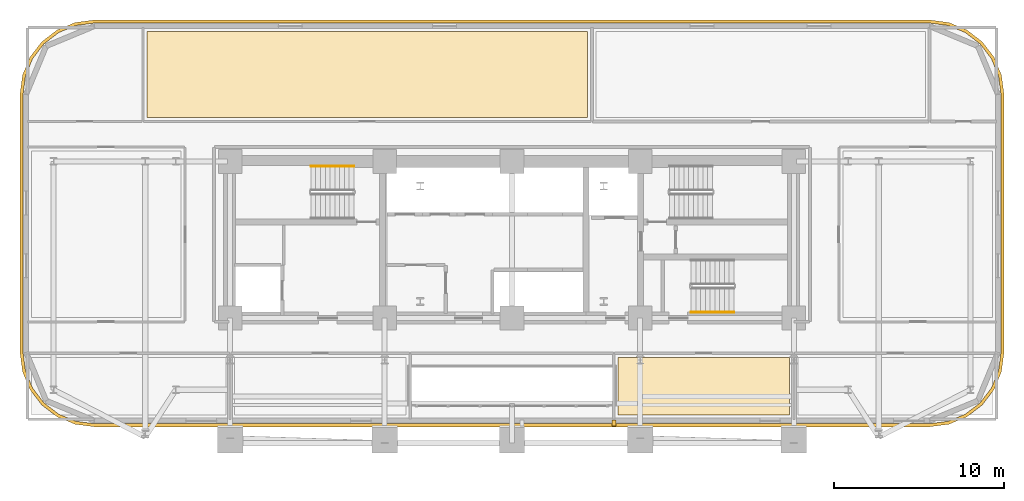
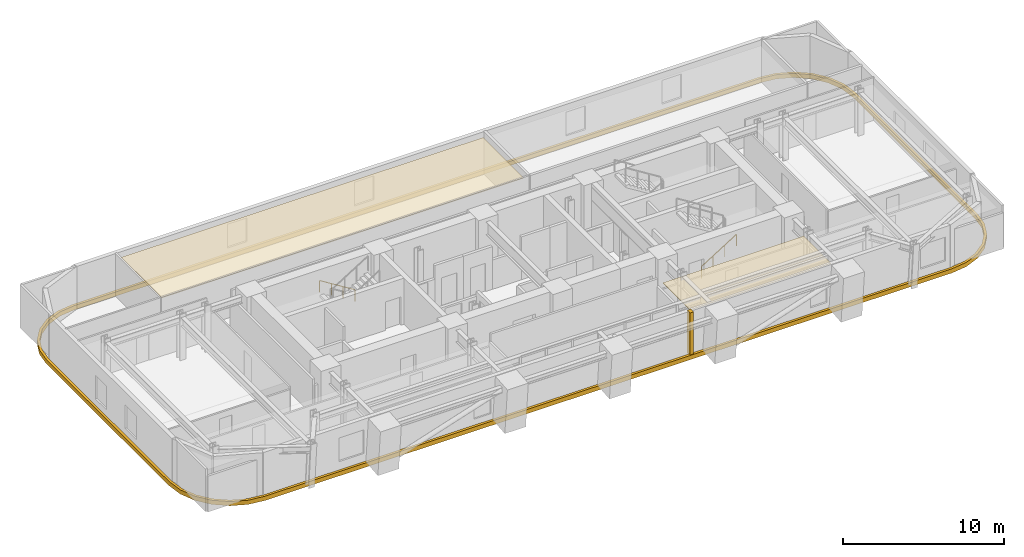
# One storey, part 13 of 14: 4 coverings, 2 railings.
"""IFC4 building model written with IfcOpenShell, lengths in metres."""

from ifc_helpers import new_model, si_unit, direction, frame, origin, origin_2d, place, context, subcontext, project, spatial, polyline, rectangle, outline, extrude, material, layer, layer_set, type_object, element, save


model = new_model("IFC4")

# Units and contexts
model_context = context("Model", 3, precision=1e-05, world=origin(), true_north=direction((0.0, 1.0)))
body_context = subcontext(model_context, "Body", "Model", "MODEL_VIEW")
ifc_project = project(units=[si_unit("LENGTHUNIT", "METRE"), si_unit("AREAUNIT", "SQUARE_METRE"), si_unit("VOLUMEUNIT", "CUBIC_METRE"), si_unit("PLANEANGLEUNIT", "RADIAN"), si_unit("MASSUNIT", "GRAM", prefix="KILO")], contexts=[model_context])

# Site, building, storey
site_placement = place(None, origin())
site = spatial("IfcSite", under=ifc_project, at=site_placement, CompositionType="ELEMENT")
building_placement = place(site_placement, origin())
building = spatial("IfcBuilding", under=site, at=building_placement, Name="Zarnavel Station Tower", CompositionType="ELEMENT")
storey_placement = place(building_placement, frame((0.0, 0.0, 60.5)))
storey = spatial("IfcBuildingStorey", under=building, at=storey_placement, Name="L16", CompositionType="ELEMENT", Elevation=60.5)

# Coverings
ifc_material_1 = material(Name="Perforated Gypsum and Mineral-Wool Acoustic Ceiling", Category="concrete")
ifc_layer = layer(ifc_material_1, 0.0400390625)
ifc_layer_set = layer_set([ifc_layer], Name="COV_CEIL_ACOUSTIC")
covering_type_1 = type_object("IfcCoveringType", Name="COV_CEIL_ACOUSTIC", PredefinedType="CEILING", material=ifc_layer_set)
covering_1_placement = place(storey_placement, frame((0.0, 0.0, 2.919921875)))
element("IfcCovering", 1, at=covering_1_placement, inside=storey, type_object=covering_type_1, Name="L16 NL4A Acoustic Ceiling", PredefinedType="CEILING", context=body_context, shape_type="SweptSolid", body=[
    extrude(outline(polyline([(7.31005859375, 39.64990234375), (33.25, 39.64990234375), (33.25, 44.68994140625), (7.31005859375, 44.68994140625), (7.31005859375, 39.64990234375)])), origin(), (0.0, 0.0, 1.0), 0.0400390625),
])
covering_2_placement = place(storey_placement, frame((0.0, 0.0, 2.919921875)))
element("IfcCovering", 2, at=covering_2_placement, inside=storey, type_object=covering_type_1, Name="L16 Z1GYM Acoustic Ceiling", PredefinedType="CEILING", context=body_context, shape_type="SweptSolid", body=[
    extrude(outline(polyline([(35.050048828125, 22.110107421875), (45.14990234375, 22.110107421875), (45.14990234375, 25.5), (35.050048828125, 25.5), (35.050048828125, 22.110107421875)])), origin(), (0.0, 0.0, 1.0), 0.0400390625),
])
ifc_material_2 = material(Name="Precast concrete C45/55 (Pale Travertine Slab Band)", Category="masonry")
covering_type_2 = type_object("IfcCoveringType", Name="COV_TRAVERTINE_BAND", PredefinedType="CLADDING", material=ifc_material_2)
covering_3_placement = place(storey_placement, frame((0.0, 0.0, -0.260009765625)))
element("IfcCovering", 3, at=covering_3_placement, inside=storey, type_object=covering_type_2, Name="L16 Pale Travertine Slab-Edge Band", PredefinedType="CLADDING", context=body_context, shape_type="SweptSolid", body=[
    extrude(outline(polyline([(53.39990234375, 21.419921875), (54.53369140625, 21.569091796875), (55.590087890625, 22.0068359375), (56.4970703125, 22.702880859375), (57.193115234375, 23.610107421875), (57.630859375, 24.66650390625), (57.780029296875, 25.800048828125), (57.780029296875, 41.0), (57.630859375, 42.133544921875), (57.193115234375, 43.18994140625), (56.4970703125, 44.09716796875), (55.590087890625, 44.793212890625), (54.53369140625, 45.230712890625), (53.39990234375, 45.3798828125), (4.199951171875, 45.3798828125), (3.06640625, 45.230712890625), (2.010009765625, 44.793212890625), (1.102783203125, 44.09716796875), (0.40673828125, 43.18994140625), (-0.03076171875, 42.133544921875), (-0.179931640625, 41.0), (-0.179931640625, 25.800048828125), (-0.03076171875, 24.66650390625), (0.40673828125, 23.610107421875), (1.102783203125, 22.702880859375), (2.010009765625, 22.0068359375), (3.06640625, 21.569091796875), (4.199951171875, 21.419921875), (53.39990234375, 21.419921875)]), holes=[polyline([(53.39990234375, 21.60009765625), (54.487060546875, 21.7431640625), (55.5, 22.16259765625), (56.369873046875, 22.830078125), (57.037353515625, 23.699951171875), (57.456787109375, 24.712890625), (57.60009765625, 25.800048828125), (57.60009765625, 41.0), (57.456787109375, 42.0869140625), (57.037353515625, 43.10009765625), (56.369873046875, 43.9697265625), (55.5, 44.63720703125), (54.487060546875, 45.056884765625), (53.39990234375, 45.199951171875), (4.199951171875, 45.199951171875), (3.113037109375, 45.056884765625), (2.10009765625, 44.63720703125), (1.230224609375, 43.9697265625), (0.562744140625, 43.10009765625), (0.14306640625, 42.0869140625), (0.0, 41.0), (0.0, 25.800048828125), (0.14306640625, 24.712890625), (0.562744140625, 23.699951171875), (1.230224609375, 22.830078125), (2.10009765625, 22.16259765625), (3.113037109375, 21.7431640625), (4.199951171875, 21.60009765625), (53.39990234375, 21.60009765625)])]), origin(), (0.0, 0.0, 1.0), 0.320068359375),
])
covering_4_placement = place(storey_placement, frame((34.800048828125, 21.64990234375, 0.0), z_axis=(0.0, 0.0, 1.0), x_axis=(1.0, 0.0, 0.0)))
element("IfcCovering", 4, at=covering_4_placement, inside=storey, type_object=covering_type_2, Name="L16 Travertine Portal Loggia Vertical Jog East", PredefinedType="CLADDING", context=body_context, shape_type="SweptSolid", body=[
    extrude(rectangle(XDim=0.239990234375, YDim=0.360107421875, at=origin_2d()), origin(), (0.0, 0.0, 1.0), 3.239990234375),
])

# Railings
ifc_material_3 = material(Name="Brushed Stainless Steel S355J2 Handrail", Category="steel")
railing_type = type_object("IfcRailingType", Name="HR_STAIR_900", PredefinedType="HANDRAIL", material=ifc_material_3)
railing_1_placement = place(storey_placement, frame((19.47998046875, 36.77001953125, 0.175048828125)))
element("IfcRailing", 5, at=railing_1_placement, inside=storey, type_object=railing_type, Name="L16 ST1 stair handrail 1", PredefinedType="HANDRAIL", context=body_context, shape_type="SweptSolid", body=[
    extrude(rectangle(XDim=0.048095703125, YDim=0.048095703125, at=origin_2d()), frame((-0.001708984375, 0.0, 0.876953125), z_axis=(-0.848007534815, 0.0, 0.529984170421), x_axis=(0.0, -1.0, 0.0)), (0.0, 0.0, 1.0), 2.9677734375),
    extrude(rectangle(XDim=0.0419921875, YDim=0.0419921875, at=origin_2d()), origin(), (0.0, 0.0, 1.0), 0.851806640625),
    extrude(rectangle(XDim=0.0419921875, YDim=0.0419921875, at=origin_2d()), frame((-0.840087890625, 0.0, 0.52490234375)), (0.0, 0.0, 1.0), 0.851806640625),
    extrude(rectangle(XDim=0.0419921875, YDim=0.0419921875, at=origin_2d()), frame((-1.679931640625, 0.0, 1.050048828125)), (0.0, 0.0, 1.0), 0.851806640625),
    extrude(rectangle(XDim=0.0419921875, YDim=0.0419921875, at=origin_2d()), frame((-2.52001953125, 0.0, 1.574951171875)), (0.0, 0.0, 1.0), 0.851806640625),
])
railing_2_placement = place(storey_placement, frame((39.35009765625, 28.169921875, 0.175048828125)))
element("IfcRailing", 6, at=railing_2_placement, inside=storey, type_object=railing_type, Name="L16 ST3 stair handrail 1", PredefinedType="HANDRAIL", context=body_context, shape_type="SweptSolid", body=[
    extrude(rectangle(XDim=0.048095703125, YDim=0.048095703125, at=origin_2d()), frame((0.001708984375, 0.0, 0.876953125), z_axis=(0.848007534815, 0.0, 0.529984170421), x_axis=(0.0, 1.0, 0.0)), (0.0, 0.0, 1.0), 2.9677734375),
    extrude(rectangle(XDim=0.0419921875, YDim=0.0419921875, at=origin_2d()), origin(), (0.0, 0.0, 1.0), 0.851806640625),
    extrude(rectangle(XDim=0.0419921875, YDim=0.0419921875, at=origin_2d()), frame((0.840087890625, 0.0, 0.52490234375)), (0.0, 0.0, 1.0), 0.851806640625),
    extrude(rectangle(XDim=0.0419921875, YDim=0.0419921875, at=origin_2d()), frame((1.679931640625, 0.0, 1.050048828125)), (0.0, 0.0, 1.0), 0.851806640625),
    extrude(rectangle(XDim=0.0419921875, YDim=0.0419921875, at=origin_2d()), frame((2.52001953125, 0.0, 1.574951171875)), (0.0, 0.0, 1.0), 0.851806640625),
])

save(model, "model.ifc")
